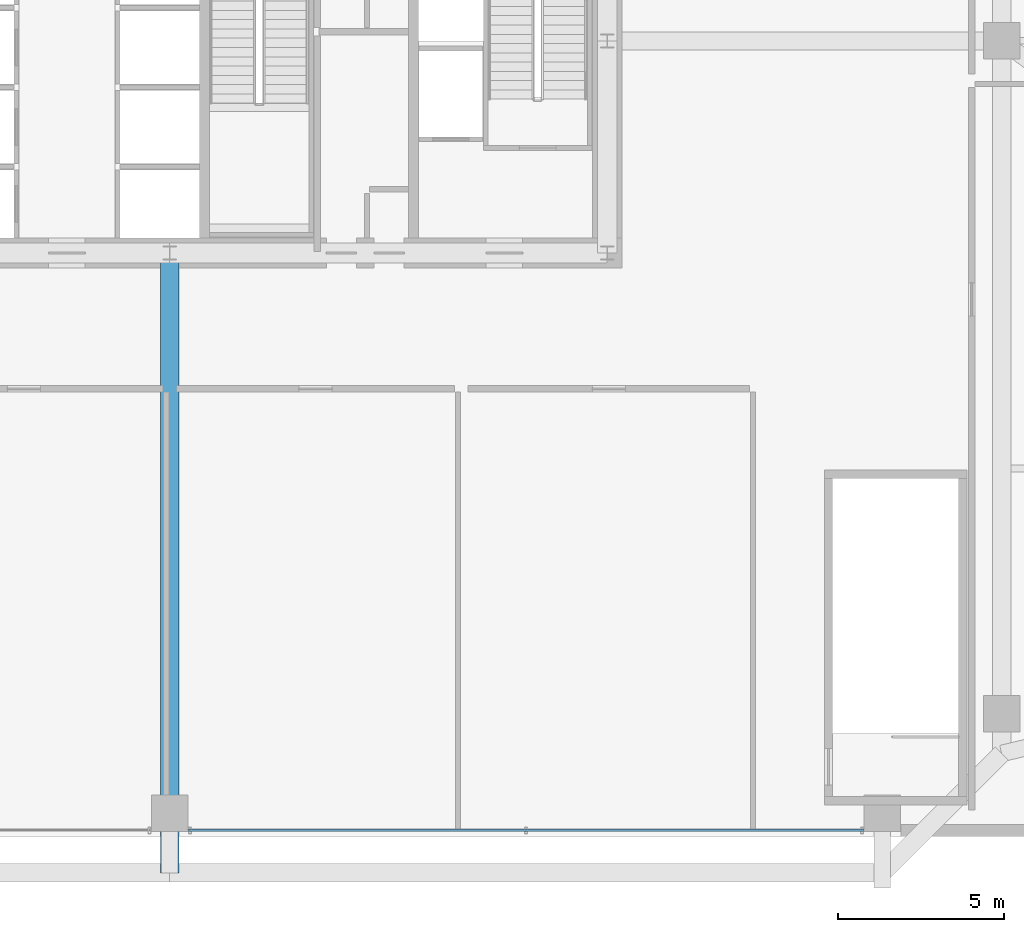
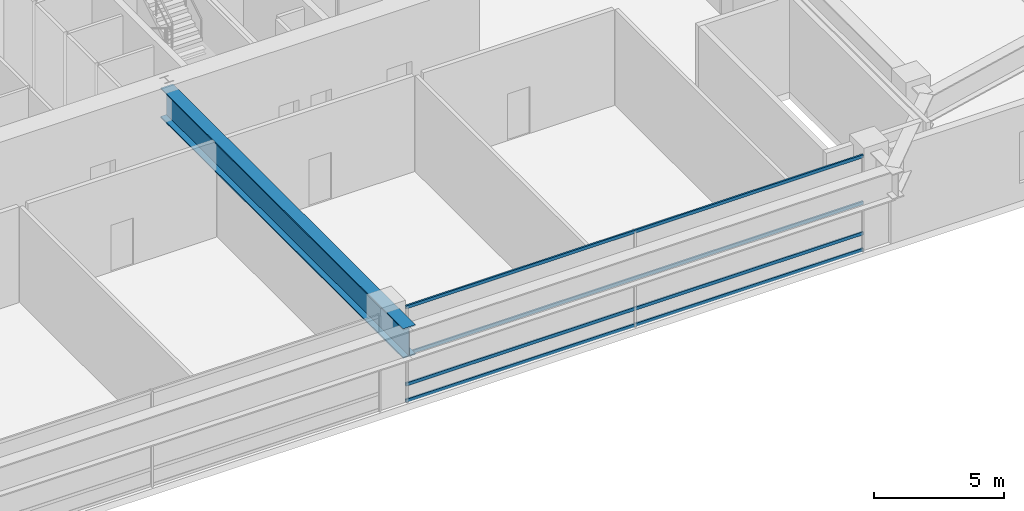
# One storey, part 14 of 34: 4 members, 1 beam, 1 element without a shape of its own.
"""IFC4 building model written with IfcOpenShell, lengths in metres."""

from ifc_helpers import new_model, si_unit, direction, frame, origin, origin_2d, place, context, subcontext, project, spatial, hollow_rectangle, i_section, extrude, source, transform, mapped, material, layer, layer_set, material_profile, profile_set, type_object, element, aggregate, save


model = new_model("IFC4")

# Units and contexts
model_context = context("Model", 3, precision=1e-05, world=origin(), true_north=direction((0.0, 1.0)))
body_context = subcontext(model_context, "Body", "Model", "MODEL_VIEW")
ifc_project = project(units=[si_unit("LENGTHUNIT", "METRE"), si_unit("AREAUNIT", "SQUARE_METRE"), si_unit("VOLUMEUNIT", "CUBIC_METRE"), si_unit("PLANEANGLEUNIT", "RADIAN"), si_unit("MASSUNIT", "GRAM", prefix="KILO"), si_unit("THERMODYNAMICTEMPERATUREUNIT", "KELVIN"), si_unit("POWERUNIT", "WATT")], contexts=[model_context])

# Site, building, storey
site_placement = place(None, origin())
site = spatial("IfcSite", under=ifc_project, at=site_placement, CompositionType="ELEMENT")
building_placement = place(site_placement, origin())
building = spatial("IfcBuilding", under=site, at=building_placement, Name="Yuzanri Waterfront Tower", CompositionType="ELEMENT")
storey_placement = place(building_placement, frame((0.0, 0.0, 25.800048828125)))
storey = spatial("IfcBuildingStorey", under=building, at=storey_placement, Name="L06", CompositionType="ELEMENT", Elevation=25.800048828125)

# Beam
ifc_material_1 = material(Name="Steel Q420GJC", Category="steel")
ifc_material_profile_1 = material_profile(ifc_material_1, i_section(OverallWidth=0.550048828125, OverallDepth=1.39990234375, WebThickness=0.030029296875, FlangeThickness=0.054931640625, at=origin_2d()), Name="PG 1400x550x30x55")
ifc_profile_set_1 = profile_set([ifc_material_profile_1], Name="Steel Q420GJC")
beam_type = type_object("IfcBeamType", Name="Tower Base Transfer Girder Q420GJC PG 1400x550", PredefinedType="USERDEFINED", material=ifc_profile_set_1)
shared_shape_1 = source(origin(), body_context, "Body", "SweptSolid", [
    extrude(i_section(OverallWidth=0.550048828125, OverallDepth=1.39990234375, WebThickness=0.030029296875, FlangeThickness=0.054931640625, at=origin_2d()), origin(), (0.0, 0.0, 1.0), 18.699951171875),
])
beam_placement = place(storey_placement, frame((37.0, 19.39990234375, 3.800048828125), z_axis=(0.0, -1.0, 0.0), x_axis=(1.0, 0.0, 0.0)))
element("IfcBeam", 1, at=beam_placement, inside=storey, type_object=beam_type, Name="L06 Tower Base Transfer S2A", ObjectType="GIRDER", PredefinedType="USERDEFINED", context=body_context, shape_type="MappedRepresentation", body=[
    mapped(shared_shape_1, transform((0.0, 0.0, 0.0), scale=1.0)),
])

# Curtain wall, members
ifc_material_2 = material(Name="Anodized Architectural Bronze", Category="metal")
ifc_layer = layer(ifc_material_2, 0.159912109375)
ifc_layer_set = layer_set([ifc_layer], Name="Anodized Architectural Bronze")
curtain_wall_type = type_object("IfcCurtainWallType", Name="Anodized Bronze Podium Waterfront Double-Height Unitized Curtain Wall 8400", PredefinedType="NOTDEFINED", material=ifc_layer_set)
curtain_wall_placement = place(storey_placement, origin())
curtain_wall = element("IfcCurtainWall", 2, at=curtain_wall_placement, inside=storey, type_object=curtain_wall_type, Name="L06 Curtain Wall CW-L06-S2", PredefinedType="NOTDEFINED")
ifc_material_3 = material(Name="Anodized Architectural Bronze", Category="metal")
ifc_material_profile_2 = material_profile(ifc_material_3, hollow_rectangle(XDim=0.074951171875, YDim=0.14990234375, WallThickness=0.00390625, at=origin_2d()), Name="CWT 75x150")
ifc_profile_set_2 = profile_set([ifc_material_profile_2], Name="Anodized Architectural Bronze")
member_type = type_object("IfcMemberType", Name="Anodized Bronze Primary Curtain-Wall Transom 75x150", PredefinedType="USERDEFINED", material=ifc_profile_set_2)
shared_shape_2 = source(origin(), body_context, "Body", "SweptSolid", [
    extrude(hollow_rectangle(XDim=0.074951171875, YDim=0.14990234375, WallThickness=0.00390625, at=origin_2d()), origin(), (0.0, 0.0, 1.0), 20.35986328125),
])
member_1_placement = place(storey_placement, frame((37.570068359375, 1.97998046875, 0.050048828125), z_axis=(1.0, 0.0, 0.0), x_axis=(0.0, 1.0, 0.0)))
member_1 = element("IfcMember", 3, at=member_1_placement, type_object=member_type, Name="CW-L06-S2 Transom 1", ObjectType="TRANSOM", PredefinedType="USERDEFINED", context=body_context, shape_type="MappedRepresentation", body=[
    mapped(shared_shape_2, transform((0.0, 0.0, 0.0), scale=1.0)),
])
member_2_placement = place(storey_placement, frame((37.570068359375, 1.97998046875, 0.820068359375), z_axis=(1.0, 0.0, 0.0), x_axis=(0.0, 1.0, 0.0)))
member_2 = element("IfcMember", 4, at=member_2_placement, type_object=member_type, Name="CW-L06-S2 Transom 2", ObjectType="TRANSOM", PredefinedType="USERDEFINED", context=body_context, shape_type="MappedRepresentation", body=[
    mapped(shared_shape_2, transform((0.0, 0.0, 0.0), scale=1.0)),
])
member_3_placement = place(storey_placement, frame((37.570068359375, 1.97998046875, 2.25), z_axis=(1.0, 0.0, 0.0), x_axis=(0.0, 1.0, 0.0)))
member_3 = element("IfcMember", 5, at=member_3_placement, type_object=member_type, Name="CW-L06-S2 Transom 3", ObjectType="TRANSOM", PredefinedType="USERDEFINED", context=body_context, shape_type="MappedRepresentation", body=[
    mapped(shared_shape_2, transform((0.0, 0.0, 0.0), scale=1.0)),
])
member_4_placement = place(storey_placement, frame((37.570068359375, 1.97998046875, 4.449951171875), z_axis=(1.0, 0.0, 0.0), x_axis=(0.0, 1.0, 0.0)))
member_4 = element("IfcMember", 6, at=member_4_placement, type_object=member_type, Name="CW-L06-S2 Transom 4", ObjectType="TRANSOM", PredefinedType="USERDEFINED", context=body_context, shape_type="MappedRepresentation", body=[
    mapped(shared_shape_2, transform((0.0, 0.0, 0.0), scale=1.0)),
])
aggregate(curtain_wall, [member_1, member_2, member_3, member_4])

save(model, "model.ifc")
